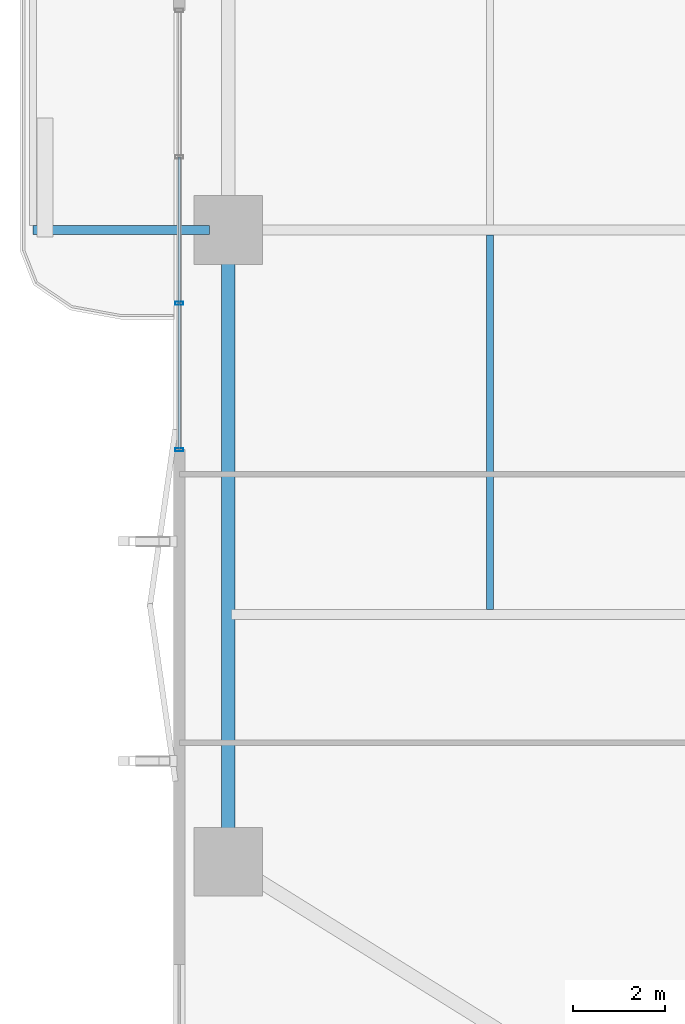
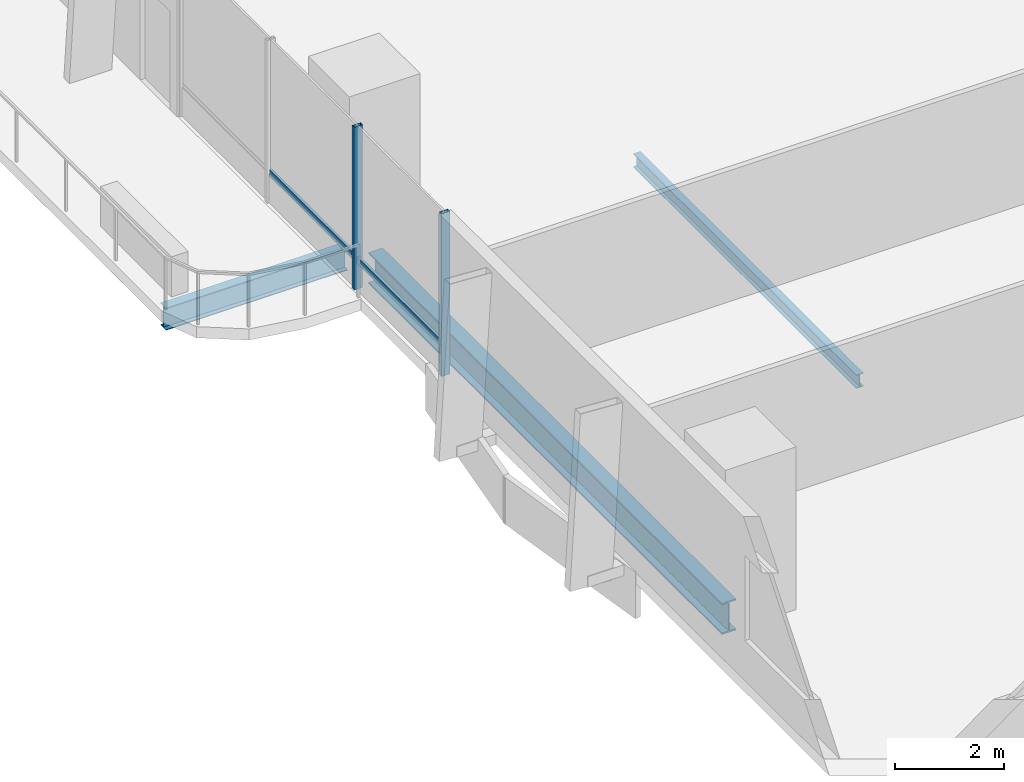
# One storey, part 4 of 23: 4 members, 3 beams, 1 element without a shape of its own.
"""IFC4 building model written with IfcOpenShell, lengths in metres."""

from ifc_helpers import new_model, si_unit, direction, frame, origin, origin_2d, place, context, subcontext, project, spatial, hollow_rectangle, i_section, extrude, material, layer, layer_set, material_profile, profile_set, type_object, element, aggregate, save


model = new_model("IFC4")

# Units and contexts
model_context = context("Model", 3, precision=1e-05, world=origin(), true_north=direction((0.0, 1.0)))
body_context = subcontext(model_context, "Body", "Model", "MODEL_VIEW")
ifc_project = project(units=[si_unit("LENGTHUNIT", "METRE"), si_unit("AREAUNIT", "SQUARE_METRE"), si_unit("VOLUMEUNIT", "CUBIC_METRE"), si_unit("PLANEANGLEUNIT", "RADIAN"), si_unit("MASSUNIT", "GRAM", prefix="KILO")], contexts=[model_context])

# Site, building, storey
site_placement = place(None, origin())
site = spatial("IfcSite", under=ifc_project, at=site_placement, CompositionType="ELEMENT")
building_placement = place(site_placement, origin())
building = spatial("IfcBuilding", under=site, at=building_placement, Name="Belovzor Exchange Tower", CompositionType="ELEMENT")
storey_placement = place(building_placement, frame((0.0, 0.0, 88.5)))
storey = spatial("IfcBuildingStorey", under=building, at=storey_placement, Name="L21", CompositionType="ELEMENT", Elevation=88.5)

# Beams
ifc_material_1 = material(Name="Steel S355", Category="steel")
ifc_material_profile_1 = material_profile(ifc_material_1, i_section(OverallWidth=0.199951171875, OverallDepth=0.5, WebThickness=0.01025390625, FlangeThickness=0.01611328125, at=origin_2d()))
ifc_profile_set_1 = profile_set([ifc_material_profile_1], Name="Steel S355")
beam_type_1 = type_object("IfcBeamType", Name="Planted Balcony Cantilever Beam IPE 500", PredefinedType="BEAM", material=ifc_profile_set_1)
beam_1_placement = place(storey_placement, frame((1.68798828125, 28.800048828125, -0.5), z_axis=(-1.0, 0.0, 0.0), x_axis=(0.0, -1.0, 0.0)))
element("IfcBeam", 1, at=beam_1_placement, inside=storey, type_object=beam_type_1, Name="BC-500 Planted Balcony Cantilever Beam IPE 500", PredefinedType="BEAM", context=body_context, shape_type="SweptSolid", body=[
    extrude(i_section(OverallWidth=0.199951171875, OverallDepth=0.5, WebThickness=0.01025390625, FlangeThickness=0.01611328125, at=origin_2d()), origin(), (0.0, 0.0, 1.0), 3.85009765625),
])
ifc_material_2 = material(Name="Steel S355", Category="steel")
ifc_material_profile_2 = material_profile(ifc_material_2, i_section(OverallWidth=0.14990234375, OverallDepth=0.300048828125, WebThickness=0.007080078125, FlangeThickness=0.0107421875, at=origin_2d()))
ifc_profile_set_2 = profile_set([ifc_material_profile_2], Name="Steel S355")
beam_type_2 = type_object("IfcBeamType", Name="Secondary Trim Floor Joist IPE 300", PredefinedType="BEAM", material=ifc_profile_set_2)
beam_2_placement = place(storey_placement, frame((7.81494140625, 20.5048828125, -0.39990234375), z_axis=(0.0, 1.0, 0.0), x_axis=(-1.0, 0.0, 0.0)))
element("IfcBeam", 2, at=beam_2_placement, inside=storey, type_object=beam_type_2, Name="FJ-300 Secondary Trim Floor Joist IPE 300", PredefinedType="BEAM", context=body_context, shape_type="SweptSolid", body=[
    extrude(i_section(OverallWidth=0.14990234375, OverallDepth=0.300048828125, WebThickness=0.007080078125, FlangeThickness=0.0107421875, at=origin_2d()), origin(), (0.0, 0.0, 1.0), 8.190185546875),
])

# Curtain wall, members
ifc_material_3 = material(Name="Anodised Aluminium Framing", Category="aluminium")
ifc_layer = layer(ifc_material_3, 0.179931640625)
ifc_layer_set = layer_set([ifc_layer], Name="Anodised Aluminium Framing")
curtain_wall_type = type_object("IfcCurtainWallType", Name="Recessed Loggia Low-Iron Triple-Glazed Curtain Wall", PredefinedType="NOTDEFINED", material=ifc_layer_set)
curtain_wall_placement = place(storey_placement, origin())
curtain_wall = element("IfcCurtainWall", 3, at=curtain_wall_placement, inside=storey, type_object=curtain_wall_type, Name="CW3 Recessed Loggia Low-Iron Triple-Glazed Curtain Wall L21", PredefinedType="NOTDEFINED")
ifc_material_4 = material(Name="Steel S355", Category="steel")
ifc_material_profile_3 = material_profile(ifc_material_4, hollow_rectangle(XDim=0.074951171875, YDim=0.179931640625, WallThickness=0.0048828125, at=origin_2d()))
ifc_profile_set_3 = profile_set([ifc_material_profile_3], Name="Steel S355")
member_type_1 = type_object("IfcMemberType", Name="Thermally Broken Curtain Wall Mullion 180x75", PredefinedType="MULLION", material=ifc_profile_set_3)
member_1_placement = place(storey_placement, frame((1.030029296875, 24.0, 0.0), z_axis=(0.0, 0.0, 1.0), x_axis=(0.0, 1.0, 0.0)))
member_1 = element("IfcMember", 4, at=member_1_placement, type_object=member_type_1, Name="CW-M180 Curtain Wall Mullion 1", PredefinedType="MULLION", context=body_context, shape_type="SweptSolid", body=[
    extrude(hollow_rectangle(XDim=0.074951171875, YDim=0.179931640625, WallThickness=0.0048828125, at=origin_2d()), origin(), (0.0, 0.0, 1.0), 3.64990234375),
])
member_2_placement = place(storey_placement, frame((1.030029296875, 27.199951171875, 0.0), z_axis=(0.0, 0.0, 1.0), x_axis=(0.0, 1.0, 0.0)))
member_2 = element("IfcMember", 5, at=member_2_placement, type_object=member_type_1, Name="CW-M180 Curtain Wall Mullion 2", PredefinedType="MULLION", context=body_context, shape_type="SweptSolid", body=[
    extrude(hollow_rectangle(XDim=0.074951171875, YDim=0.179931640625, WallThickness=0.0048828125, at=origin_2d()), origin(), (0.0, 0.0, 1.0), 3.64990234375),
])
ifc_material_5 = material(Name="Steel S355", Category="steel")
ifc_material_profile_4 = material_profile(ifc_material_5, hollow_rectangle(XDim=0.06005859375, YDim=0.14990234375, WallThickness=0.00390625, at=origin_2d()))
ifc_profile_set_4 = profile_set([ifc_material_profile_4], Name="Steel S355")
member_type_2 = type_object("IfcMemberType", Name="Thermally Broken Curtain Wall Transom 150x60", PredefinedType="USERDEFINED", material=ifc_profile_set_4)
member_3_placement = place(storey_placement, frame((1.030029296875, 24.008056640625, 0.64990234375), z_axis=(0.0, 1.0, 0.0), x_axis=(-1.0, 0.0, 0.0)))
member_3 = element("IfcMember", 6, at=member_3_placement, type_object=member_type_2, Name="CW-T150 Curtain Wall Transom 1", ObjectType="TRANSOM", PredefinedType="USERDEFINED", context=body_context, shape_type="SweptSolid", body=[
    extrude(hollow_rectangle(XDim=0.06005859375, YDim=0.14990234375, WallThickness=0.00390625, at=origin_2d()), origin(), (0.0, 0.0, 1.0), 3.183837890625),
])
member_4_placement = place(storey_placement, frame((1.030029296875, 27.2080078125, 0.64990234375), z_axis=(0.0, 1.0, 0.0), x_axis=(-1.0, 0.0, 0.0)))
member_4 = element("IfcMember", 7, at=member_4_placement, type_object=member_type_2, Name="CW-T150 Curtain Wall Transom 2", ObjectType="TRANSOM", PredefinedType="USERDEFINED", context=body_context, shape_type="SweptSolid", body=[
    extrude(hollow_rectangle(XDim=0.06005859375, YDim=0.14990234375, WallThickness=0.00390625, at=origin_2d()), origin(), (0.0, 0.0, 1.0), 3.18408203125),
])
aggregate(curtain_wall, [member_1, member_2, member_3, member_4])

# Beam
ifc_material_6 = material(Name="Steel S355", Category="steel")
ifc_material_profile_5 = material_profile(ifc_material_6, i_section(OverallWidth=0.300048828125, OverallDepth=0.699951171875, WebThickness=0.01708984375, FlangeThickness=0.031982421875, at=origin_2d()))
ifc_profile_set_5 = profile_set([ifc_material_profile_5], Name="Steel S355")
beam_type_3 = type_object("IfcBeamType", Name="Zone 1 Primary Perimeter Girder HEB 700", PredefinedType="BEAM", material=ifc_profile_set_5)
beam_3_placement = place(storey_placement, frame((2.10009765625, 28.386962890625, -0.60009765625), z_axis=(0.0, -1.0, 0.0), x_axis=(1.0, 0.0, 0.0)))
element("IfcBeam", 8, at=beam_3_placement, inside=storey, type_object=beam_type_3, Name="FG-Z1 Zone 1 Primary Perimeter Girder HEB 700", PredefinedType="BEAM", context=body_context, shape_type="SweptSolid", body=[
    extrude(i_section(OverallWidth=0.300048828125, OverallDepth=0.699951171875, WebThickness=0.01708984375, FlangeThickness=0.031982421875, at=origin_2d()), origin(), (0.0, 0.0, 1.0), 12.974853515625),
])

save(model, "model.ifc")
